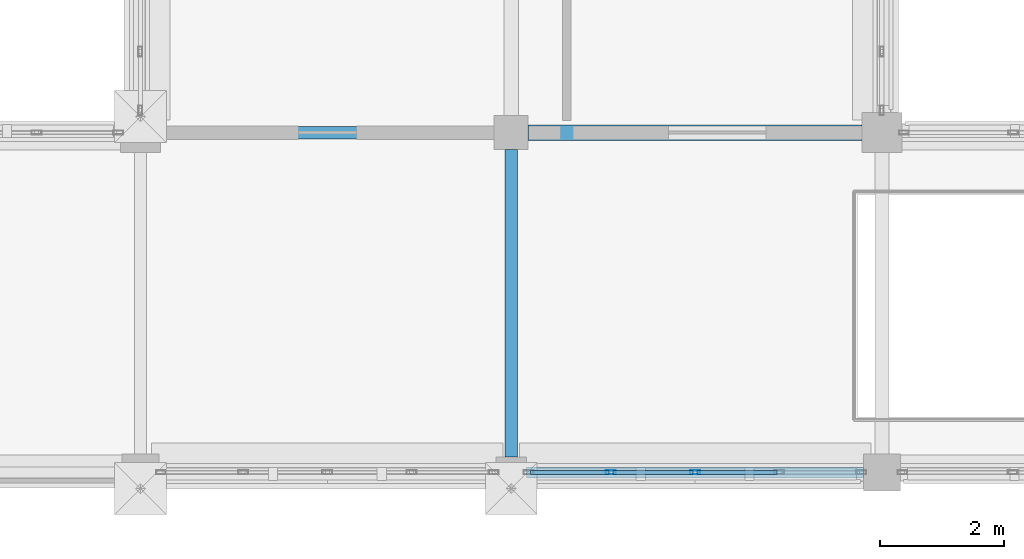
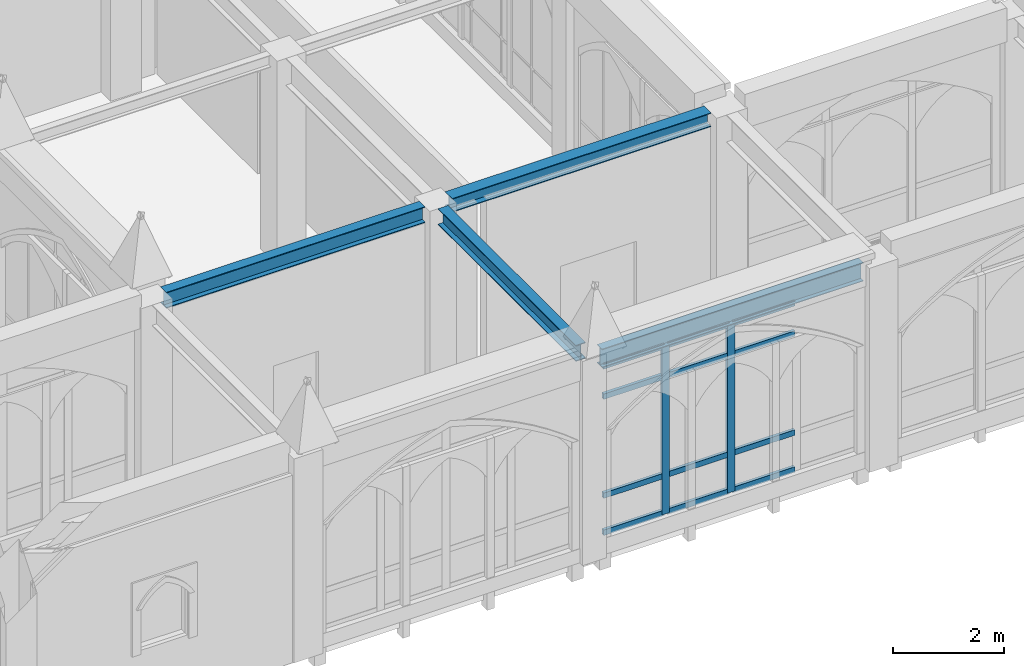
# One storey, part 13 of 143: 14 members, 4 beams, 1 element without a shape of its own.
"""IFC4 building model written with IfcOpenShell, lengths in metres."""

from ifc_helpers import new_model, si_unit, direction, frame, origin, origin_2d, place, context, subcontext, project, spatial, hollow_rectangle, i_section, extrude, material, layer, layer_set, material_profile, profile_set, type_object, element, aggregate, save


model = new_model("IFC4")

# Units and contexts
model_context = context("Model", 3, precision=1e-05, world=origin(), true_north=direction((0.0, 1.0)))
body_context = subcontext(model_context, "Body", "Model", "MODEL_VIEW")
ifc_project = project(units=[si_unit("LENGTHUNIT", "METRE"), si_unit("AREAUNIT", "SQUARE_METRE"), si_unit("VOLUMEUNIT", "CUBIC_METRE"), si_unit("PLANEANGLEUNIT", "RADIAN"), si_unit("MASSUNIT", "GRAM", prefix="KILO")], contexts=[model_context])

# Site, building, storey
site_placement = place(None, origin())
site = spatial("IfcSite", under=ifc_project, at=site_placement, CompositionType="ELEMENT")
building_placement = place(site_placement, origin())
building = spatial("IfcBuilding", under=site, at=building_placement, Name="Cumevento Cable Car Station", CompositionType="ELEMENT")
storey_placement = place(building_placement, frame((0.0, 0.0, 9.0)))
storey = spatial("IfcBuildingStorey", under=building, at=storey_placement, Name="L03", CompositionType="ELEMENT", Elevation=9.0)

# Curtain wall, members
ifc_material_1 = material(Name="Anodised Bronze Aluminium AW-6063-T6", Category="aluminium")
ifc_layer = layer(ifc_material_1, 0.23193359375)
ifc_layer_set = layer_set([ifc_layer], Name="Anodised Bronze Aluminium AW-6063-T6")
curtain_wall_type = type_object("IfcCurtainWallType", Name="Lancet Curtain Wall CW-13 1530", PredefinedType="NOTDEFINED", material=ifc_layer_set)
curtain_wall_placement = place(storey_placement, origin())
curtain_wall = element("IfcCurtainWall", 1, at=curtain_wall_placement, inside=storey, type_object=curtain_wall_type, Name="Lancet Curtain Wall CW-13 L03 #76", PredefinedType="NOTDEFINED")
ifc_material_2 = material(Name="Anodised Bronze Aluminium AW-6063-T6", Category="aluminium")
ifc_material_profile_1 = material_profile(ifc_material_2, hollow_rectangle(XDim=0.06494140625, YDim=0.159912109375, WallThickness=0.00390625, at=origin_2d()), Name="ALUM65x160x4")
ifc_profile_set_1 = profile_set([ifc_material_profile_1], Name="Anodised Bronze Aluminium AW-6063-T6")
member_type_1 = type_object("IfcMemberType", Name="Curtain Mullion CWM-01 ALUM65x160x4", PredefinedType="MULLION", material=ifc_profile_set_1)
member_1_placement = place(storey_placement, frame((66.97509765625, 4.0, 0.360107421875), z_axis=(0.0, 0.0, 1.0), x_axis=(0.0, -1.0, 0.0)))
member_1 = element("IfcMember", 2, at=member_1_placement, type_object=member_type_1, Name="CW-13 mullion 3", PredefinedType="MULLION", context=body_context, shape_type="SweptSolid", body=[
    extrude(hollow_rectangle(XDim=0.06494140625, YDim=0.159912109375, WallThickness=0.00390625, at=origin_2d()), origin(), (0.0, 0.0, 1.0), 3.73291015625),
])
member_2_placement = place(storey_placement, frame((65.612548828125, 4.0, 0.360107421875), z_axis=(0.0, 0.0, 1.0), x_axis=(0.0, -1.0, 0.0)))
member_2 = element("IfcMember", 3, at=member_2_placement, type_object=member_type_1, Name="CW-13 mullion 4", PredefinedType="MULLION", context=body_context, shape_type="SweptSolid", body=[
    extrude(hollow_rectangle(XDim=0.06494140625, YDim=0.159912109375, WallThickness=0.00390625, at=origin_2d()), origin(), (0.0, 0.0, 1.0), 3.73291015625),
])
ifc_material_3 = material(Name="Anodised Bronze Aluminium AW-6063-T6", Category="aluminium")
ifc_material_profile_2 = material_profile(ifc_material_3, hollow_rectangle(XDim=0.06494140625, YDim=0.1201171875, WallThickness=0.00390625, at=origin_2d()), Name="ALUT65x120x4")
ifc_profile_set_2 = profile_set([ifc_material_profile_2], Name="Anodised Bronze Aluminium AW-6063-T6")
member_type_2 = type_object("IfcMemberType", Name="Curtain Transom CWT-01 ALUT65x120x4", PredefinedType="USERDEFINED", material=ifc_profile_set_2)
member_3_placement = place(storey_placement, frame((68.304931640625, 4.0, 0.392578125), z_axis=(-1.0, 0.0, 0.0), x_axis=(0.0, -1.0, 0.0)))
member_3 = element("IfcMember", 4, at=member_3_placement, type_object=member_type_2, Name="CW-13 transom 2.1", ObjectType="TRANSOM", PredefinedType="USERDEFINED", context=body_context, shape_type="SweptSolid", body=[
    extrude(hollow_rectangle(XDim=0.06494140625, YDim=0.1201171875, WallThickness=0.00390625, at=origin_2d()), origin(), (0.0, 0.0, 1.0), 1.29736328125),
])
member_4_placement = place(storey_placement, frame((68.304931640625, 4.0, 1.2099609375), z_axis=(-1.0, 0.0, 0.0), x_axis=(0.0, -1.0, 0.0)))
member_4 = element("IfcMember", 5, at=member_4_placement, type_object=member_type_2, Name="CW-13 transom 2.2", ObjectType="TRANSOM", PredefinedType="USERDEFINED", context=body_context, shape_type="SweptSolid", body=[
    extrude(hollow_rectangle(XDim=0.06494140625, YDim=0.1201171875, WallThickness=0.00390625, at=origin_2d()), origin(), (0.0, 0.0, 1.0), 1.29736328125),
])
member_5_placement = place(storey_placement, frame((68.304931640625, 4.0, 3.39306640625), z_axis=(-1.0, 0.0, 0.0), x_axis=(0.0, -1.0, 0.0)))
member_5 = element("IfcMember", 6, at=member_5_placement, type_object=member_type_2, Name="CW-13 transom 2.3", ObjectType="TRANSOM", PredefinedType="USERDEFINED", context=body_context, shape_type="SweptSolid", body=[
    extrude(hollow_rectangle(XDim=0.06494140625, YDim=0.1201171875, WallThickness=0.00390625, at=origin_2d()), origin(), (0.0, 0.0, 1.0), 1.29736328125),
])
member_6_placement = place(storey_placement, frame((68.304931640625, 4.0, 4.060546875), z_axis=(-1.0, 0.0, 0.0), x_axis=(0.0, -1.0, 0.0)))
member_6 = element("IfcMember", 7, at=member_6_placement, type_object=member_type_2, Name="CW-13 transom 2.4", ObjectType="TRANSOM", PredefinedType="USERDEFINED", context=body_context, shape_type="SweptSolid", body=[
    extrude(hollow_rectangle(XDim=0.06494140625, YDim=0.1201171875, WallThickness=0.00390625, at=origin_2d()), origin(), (0.0, 0.0, 1.0), 1.29736328125),
])
member_7_placement = place(storey_placement, frame((66.9423828125, 4.0, 0.392578125), z_axis=(-1.0, 0.0, 0.0), x_axis=(0.0, -1.0, 0.0)))
member_7 = element("IfcMember", 8, at=member_7_placement, type_object=member_type_2, Name="CW-13 transom 3.1", ObjectType="TRANSOM", PredefinedType="USERDEFINED", context=body_context, shape_type="SweptSolid", body=[
    extrude(hollow_rectangle(XDim=0.06494140625, YDim=0.1201171875, WallThickness=0.00390625, at=origin_2d()), origin(), (0.0, 0.0, 1.0), 1.29736328125),
])
member_8_placement = place(storey_placement, frame((66.9423828125, 4.0, 1.2099609375), z_axis=(-1.0, 0.0, 0.0), x_axis=(0.0, -1.0, 0.0)))
member_8 = element("IfcMember", 9, at=member_8_placement, type_object=member_type_2, Name="CW-13 transom 3.2", ObjectType="TRANSOM", PredefinedType="USERDEFINED", context=body_context, shape_type="SweptSolid", body=[
    extrude(hollow_rectangle(XDim=0.06494140625, YDim=0.1201171875, WallThickness=0.00390625, at=origin_2d()), origin(), (0.0, 0.0, 1.0), 1.29736328125),
])
member_9_placement = place(storey_placement, frame((66.9423828125, 4.0, 3.39306640625), z_axis=(-1.0, 0.0, 0.0), x_axis=(0.0, -1.0, 0.0)))
member_9 = element("IfcMember", 10, at=member_9_placement, type_object=member_type_2, Name="CW-13 transom 3.3", ObjectType="TRANSOM", PredefinedType="USERDEFINED", context=body_context, shape_type="SweptSolid", body=[
    extrude(hollow_rectangle(XDim=0.06494140625, YDim=0.1201171875, WallThickness=0.00390625, at=origin_2d()), origin(), (0.0, 0.0, 1.0), 1.29736328125),
])
member_10_placement = place(storey_placement, frame((66.9423828125, 4.0, 4.060546875), z_axis=(-1.0, 0.0, 0.0), x_axis=(0.0, -1.0, 0.0)))
member_10 = element("IfcMember", 11, at=member_10_placement, type_object=member_type_2, Name="CW-13 transom 3.4", ObjectType="TRANSOM", PredefinedType="USERDEFINED", context=body_context, shape_type="SweptSolid", body=[
    extrude(hollow_rectangle(XDim=0.06494140625, YDim=0.1201171875, WallThickness=0.00390625, at=origin_2d()), origin(), (0.0, 0.0, 1.0), 1.29736328125),
])
member_11_placement = place(storey_placement, frame((65.580078125, 4.0, 0.392578125), z_axis=(-1.0, 0.0, 0.0), x_axis=(0.0, -1.0, 0.0)))
member_11 = element("IfcMember", 12, at=member_11_placement, type_object=member_type_2, Name="CW-13 transom 4.1", ObjectType="TRANSOM", PredefinedType="USERDEFINED", context=body_context, shape_type="SweptSolid", body=[
    extrude(hollow_rectangle(XDim=0.06494140625, YDim=0.1201171875, WallThickness=0.00390625, at=origin_2d()), origin(), (0.0, 0.0, 1.0), 1.26513671875),
])
member_12_placement = place(storey_placement, frame((65.580078125, 4.0, 1.2099609375), z_axis=(-1.0, 0.0, 0.0), x_axis=(0.0, -1.0, 0.0)))
member_12 = element("IfcMember", 13, at=member_12_placement, type_object=member_type_2, Name="CW-13 transom 4.2", ObjectType="TRANSOM", PredefinedType="USERDEFINED", context=body_context, shape_type="SweptSolid", body=[
    extrude(hollow_rectangle(XDim=0.06494140625, YDim=0.1201171875, WallThickness=0.00390625, at=origin_2d()), origin(), (0.0, 0.0, 1.0), 1.26513671875),
])
member_13_placement = place(storey_placement, frame((65.580078125, 4.0, 3.39306640625), z_axis=(-1.0, 0.0, 0.0), x_axis=(0.0, -1.0, 0.0)))
member_13 = element("IfcMember", 14, at=member_13_placement, type_object=member_type_2, Name="CW-13 transom 4.3", ObjectType="TRANSOM", PredefinedType="USERDEFINED", context=body_context, shape_type="SweptSolid", body=[
    extrude(hollow_rectangle(XDim=0.06494140625, YDim=0.1201171875, WallThickness=0.00390625, at=origin_2d()), origin(), (0.0, 0.0, 1.0), 1.26513671875),
])
member_14_placement = place(storey_placement, frame((65.580078125, 4.0, 4.060546875), z_axis=(-1.0, 0.0, 0.0), x_axis=(0.0, -1.0, 0.0)))
member_14 = element("IfcMember", 15, at=member_14_placement, type_object=member_type_2, Name="CW-13 transom 4.4", ObjectType="TRANSOM", PredefinedType="USERDEFINED", context=body_context, shape_type="SweptSolid", body=[
    extrude(hollow_rectangle(XDim=0.06494140625, YDim=0.1201171875, WallThickness=0.00390625, at=origin_2d()), origin(), (0.0, 0.0, 1.0), 1.26513671875),
])
aggregate(curtain_wall, [member_1, member_2, member_3, member_4, member_5, member_6, member_7, member_8, member_9, member_10, member_11, member_12, member_13, member_14])

# Beams
ifc_material_4 = material(Name="Steel ASTM A572 Grade 50", Category="steel")
ifc_material_profile_3 = material_profile(ifc_material_4, i_section(OverallWidth=0.205078125, OverallDepth=0.35400390625, WebThickness=0.009521484375, FlangeThickness=0.016845703125, at=origin_2d()), Name="W360x79.0")
ifc_profile_set_3 = profile_set([ifc_material_profile_3], Name="Steel ASTM A572 Grade 50")
beam_type_1 = type_object("IfcBeamType", Name="Structural Beam BM-05 W360x79.0", PredefinedType="BEAM", material=ifc_profile_set_3)
beam_1_placement = place(storey_placement, frame((58.324951171875, 9.5, 4.322998046875), z_axis=(1.0, 0.0, 0.0), x_axis=(0.0, 1.0, 0.0)))
element("IfcBeam", 16, at=beam_1_placement, inside=storey, type_object=beam_type_1, Name="Beam BM-05 L03 #954", PredefinedType="BEAM", context=body_context, shape_type="SweptSolid", body=[
    extrude(i_section(OverallWidth=0.205078125, OverallDepth=0.35400390625, WebThickness=0.009521484375, FlangeThickness=0.016845703125, at=origin_2d()), origin(), (0.0, 0.0, 1.0), 5.400146484375),
])
beam_2_placement = place(storey_placement, frame((64.0, 4.25, 4.322998046875), z_axis=(0.0, 1.0, 0.0), x_axis=(-1.0, 0.0, 0.0)))
element("IfcBeam", 17, at=beam_2_placement, inside=storey, type_object=beam_type_1, Name="Beam BM-05 L03 #960", PredefinedType="BEAM", context=body_context, shape_type="SweptSolid", body=[
    extrude(i_section(OverallWidth=0.205078125, OverallDepth=0.35400390625, WebThickness=0.009521484375, FlangeThickness=0.016845703125, at=origin_2d()), origin(), (0.0, 0.0, 1.0), 4.97509765625),
])
ifc_material_5 = material(Name="Steel ASTM A572 Grade 50", Category="steel")
ifc_material_profile_4 = material_profile(ifc_material_5, i_section(OverallWidth=0.25390625, OverallDepth=0.305908203125, WebThickness=0.0087890625, FlangeThickness=0.0146484375, at=origin_2d()), Name="W310x79.0")
ifc_profile_set_4 = profile_set([ifc_material_profile_4], Name="Steel ASTM A572 Grade 50")
beam_type_2 = type_object("IfcBeamType", Name="Structural Beam BM-06 W310x79.0", PredefinedType="BEAM", material=ifc_profile_set_4)
beam_3_placement = place(storey_placement, frame((64.27490234375, 9.5, 4.346923828125), z_axis=(1.0, 0.0, 0.0), x_axis=(0.0, 1.0, 0.0)))
element("IfcBeam", 18, at=beam_3_placement, inside=storey, type_object=beam_type_2, Name="Beam BM-06 L03 #955", PredefinedType="BEAM", context=body_context, shape_type="SweptSolid", body=[
    extrude(i_section(OverallWidth=0.25390625, OverallDepth=0.305908203125, WebThickness=0.0087890625, FlangeThickness=0.0146484375, at=origin_2d()), origin(), (0.0, 0.0, 1.0), 5.400146484375),
])
ifc_material_6 = material(Name="Steel ASTM A572 Grade 50", Category="steel")
ifc_material_profile_5 = material_profile(ifc_material_6, i_section(OverallWidth=0.177978515625, OverallDepth=0.406982421875, WebThickness=0.0078125, FlangeThickness=0.0126953125, at=origin_2d()), Name="W410x60.0")
ifc_profile_set_5 = profile_set([ifc_material_profile_5], Name="Steel ASTM A572 Grade 50")
beam_type_3 = type_object("IfcBeamType", Name="Structural Spandrel SP-01 W410x60.0", PredefinedType="SPANDREL", material=ifc_profile_set_5)
beam_4_placement = place(storey_placement, frame((64.25, 4.0, 4.29638671875), z_axis=(1.0, 0.0, 0.0), x_axis=(0.0, 1.0, 0.0)))
element("IfcBeam", 19, at=beam_4_placement, inside=storey, type_object=beam_type_3, Name="Beam SP-01 L03 #949", PredefinedType="SPANDREL", context=body_context, shape_type="SweptSolid", body=[
    extrude(i_section(OverallWidth=0.177978515625, OverallDepth=0.406982421875, WebThickness=0.0078125, FlangeThickness=0.0126953125, at=origin_2d()), origin(), (0.0, 0.0, 1.0), 5.449951171875),
])

save(model, "model.ifc")
